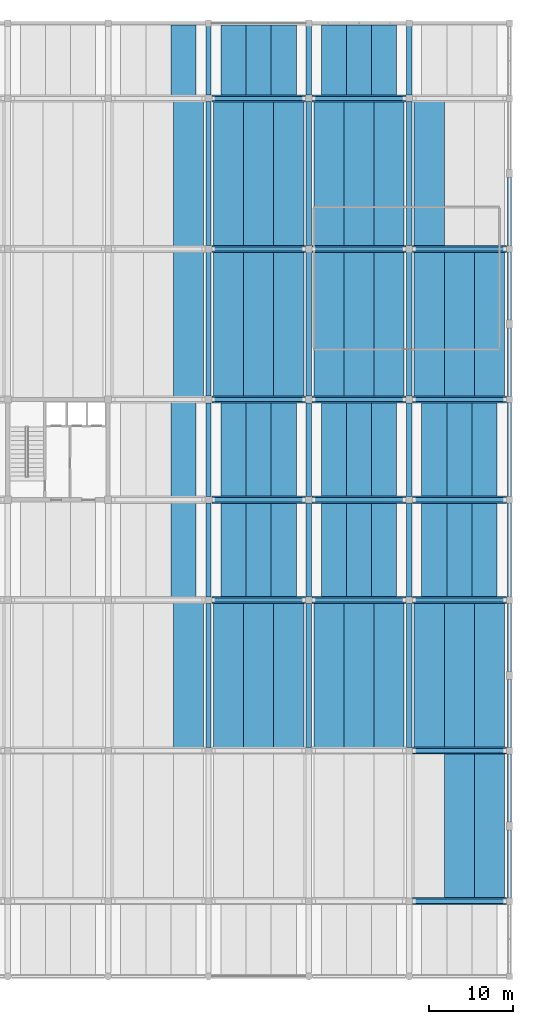
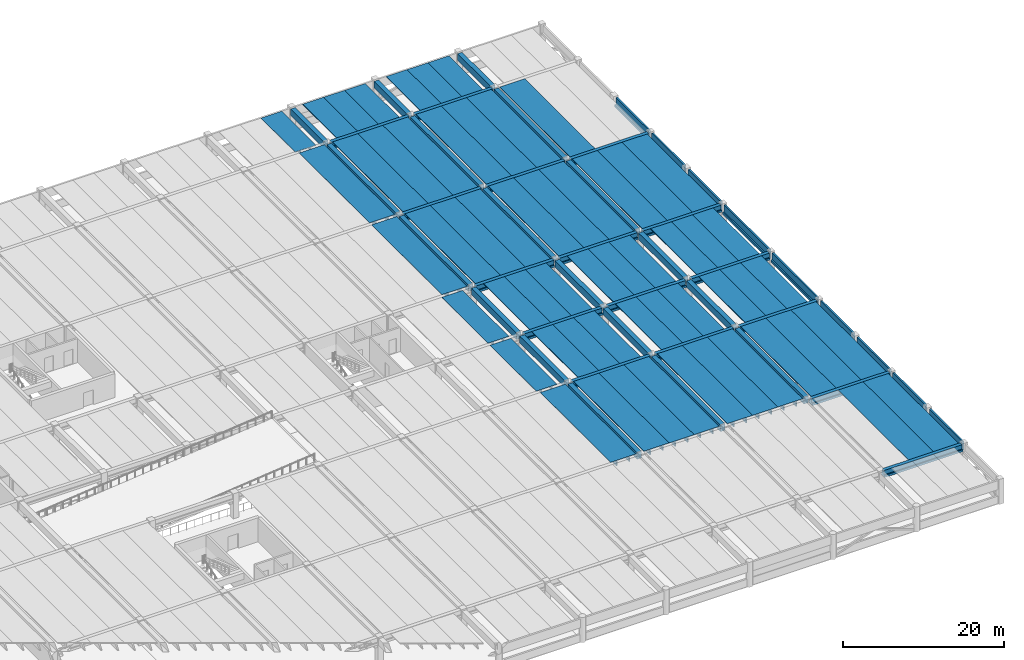
# One storey, part 6 of 21: 100 beams.
"""IFC4 building model written with IfcOpenShell, lengths in metres."""

import ifcopenshell
import ifcopenshell.guid

model = None  # the IFC model being written
_history = None  # IfcOwnerHistory: only IFC2X3 demands one
_inside = {}  # id of a spatial element -> (the spatial element, [elements in it])
_under = {}  # id of a project, library or spatial element -> (it, [spatial elements below it])
_declared = {}  # id of a project -> (the project, [libraries it declares])
_typed = {}  # id of a type object -> (the type object, [elements of that type])
_made_of = {}  # id of a material, layer set ... -> (it, [elements and type objects made of it])


def new_model(schema):
    """Start an empty IFC model of exactly this schema.

    Asked for "IFC4X3", IfcOpenShell would pick the latest addendum, in which some entities
    have other attributes; the version numbers below select the first issue.
    IFC2X3 requires an IfcOwnerHistory on every rooted entity: one is made here for all.
    """
    global model, _history
    if schema == "IFC4X3":
        model = ifcopenshell.file(schema_version=(4, 3, 0, 0))
    else:
        model = ifcopenshell.file(schema=schema)
    _inside.clear()
    _under.clear()
    _declared.clear()
    _typed.clear()
    _made_of.clear()
    _history = None
    if model.schema == "IFC2X3":
        org = make("IfcOrganization", Name="unknown")
        user = make(
            "IfcPersonAndOrganization",
            ThePerson=make("IfcPerson", FamilyName="unknown"),
            TheOrganization=org,
        )
        app = make(
            "IfcApplication",
            ApplicationDeveloper=org,
            Version="unknown",
            ApplicationFullName="unknown",
            ApplicationIdentifier="unknown",
        )
        _history = make(
            "IfcOwnerHistory",
            OwningUser=user,
            OwningApplication=app,
            ChangeAction="ADDED",
            CreationDate=0,
        )
    return model


def make(cls, **values):
    """One entity of the class cls with the attributes given. An attribute that is None is left unset."""
    return model.create_entity(
        cls, **{name: value for name, value in values.items() if value is not None}
    )


def rooted(cls, **values):
    """An entity with a GlobalId (a new one), such as an element, a storey or a relation."""
    return make(cls, GlobalId=ifcopenshell.guid.new(), OwnerHistory=_history, **values)


def si_unit(unit_type, name, prefix=None):
    """IfcSIUnit, for example si_unit("LENGTHUNIT", "METRE", prefix="MILLI")."""
    return make("IfcSIUnit", UnitType=unit_type, Prefix=prefix, Name=name)


def assignment(units):
    """IfcUnitAssignment: the units of a project."""
    return None if units is None else make("IfcUnitAssignment", Units=units)


def point(xyz):
    """IfcCartesianPoint."""
    return None if xyz is None else make("IfcCartesianPoint", Coordinates=xyz)


def direction(xyz):
    """IfcDirection."""
    return None if xyz is None else make("IfcDirection", DirectionRatios=xyz)


def frame(location, z_axis=None, x_axis=None):
    """IfcAxis2Placement3D, a coordinate frame: its origin and axes. An axis left out is left unset."""
    return make(
        "IfcAxis2Placement3D",
        Location=point(location),
        Axis=direction(z_axis),
        RefDirection=direction(x_axis),
    )


def frame_2d(location, x_axis=None):
    """IfcAxis2Placement2D, a coordinate frame in the plane: its origin and x axis."""
    return make(
        "IfcAxis2Placement2D", Location=point(location), RefDirection=direction(x_axis)
    )


def origin():
    """The frame at (0, 0, 0) with its axes left unset."""
    return frame((0.0, 0.0, 0.0))


def origin_2d():
    """The frame at (0, 0) in the plane with its x axis left unset."""
    return frame_2d((0.0, 0.0))


def place(relative_to, where):
    """IfcLocalPlacement: puts the frame where relative to a parent placement (None: the world)."""
    return make(
        "IfcLocalPlacement", PlacementRelTo=relative_to, RelativePlacement=where
    )


def context(
    kind, dimensions, precision=None, world=None, true_north=None, identifier=None
):
    """IfcGeometricRepresentationContext, for example the 3D "Model" context."""
    return make(
        "IfcGeometricRepresentationContext",
        ContextIdentifier=identifier,
        ContextType=kind,
        CoordinateSpaceDimension=dimensions,
        Precision=precision,
        WorldCoordinateSystem=world,
        TrueNorth=true_north,
    )


def subcontext(parent, identifier, kind, view, scale=None):
    """IfcGeometricRepresentationSubContext, for example "Body" below "Model"."""
    return make(
        "IfcGeometricRepresentationSubContext",
        ContextIdentifier=identifier,
        ContextType=kind,
        ParentContext=parent,
        TargetScale=scale,
        TargetView=view,
    )


def project(units=None, contexts=None):
    """IfcProject with its units and contexts."""
    return rooted(
        "IfcProject",
        Name="project",
        RepresentationContexts=contexts,
        UnitsInContext=assignment(units),
    )


def spatial(cls, under=None, at=None, **own):
    """A site, building, storey or space (cls), placed at a placement, below another one or the project."""
    s = rooted(cls, ObjectPlacement=at, **own)
    if under is not None:
        _under.setdefault(under.id(), (under, []))[1].append(s)
    return s


def polyline(points):
    """IfcPolyline through the points."""
    return make("IfcPolyline", Points=[point(p) for p in points])


def profile(cls, at=None, kind="AREA", **sizes):
    """A parametric profile (cls). Its sizes go by their IFC names, for example OverallWidth=200.0."""
    return make(cls, ProfileType=kind, Position=at, **sizes)


def rectangle(**sizes):
    """IfcRectangleProfileDef."""
    return profile("IfcRectangleProfileDef", **sizes)


def outline(outer, holes=None, kind="AREA"):
    """IfcArbitraryClosedProfileDef: a profile drawn as a closed curve; with holes, ...WithVoids."""
    if holes is None:
        return make("IfcArbitraryClosedProfileDef", ProfileType=kind, OuterCurve=outer)
    return make(
        "IfcArbitraryProfileDefWithVoids",
        ProfileType=kind,
        OuterCurve=outer,
        InnerCurves=holes,
    )


def extrude(swept, where, along, depth):
    """IfcExtrudedAreaSolid: the profile swept, set in the frame where, extruded along a direction by depth."""
    return make(
        "IfcExtrudedAreaSolid",
        SweptArea=swept,
        Position=where,
        ExtrudedDirection=direction(along),
        Depth=depth,
    )


def shape(context_of_items, identifier, shape_type, items):
    """IfcShapeRepresentation: the items that make up one representation, for example the "Body"."""
    return make(
        "IfcShapeRepresentation",
        ContextOfItems=context_of_items,
        RepresentationIdentifier=identifier,
        RepresentationType=shape_type,
        Items=items,
    )


def material(Name=None, Category=None):
    """IfcMaterial."""
    return make("IfcMaterial", Name=Name, Category=Category)


def material_profile(
    of_material, cross_section, Name=None, Category=None, Priority=None
):
    """IfcMaterialProfile: a cross section and its material."""
    return make(
        "IfcMaterialProfile",
        Name=Name,
        Material=of_material,
        Profile=cross_section,
        Priority=Priority,
        Category=Category,
    )


def profile_set(profiles, Name=None, composite=None):
    """IfcMaterialProfileSet."""
    return make(
        "IfcMaterialProfileSet",
        Name=Name,
        MaterialProfiles=profiles,
        CompositeProfile=composite,
    )


def made_of(thing, what):
    """Note that an element or type object is made of a material, layer set ...; save() writes the relation."""
    if what is not None:
        _made_of.setdefault(what.id(), (what, []))[1].append(thing)
    return thing


def type_object(cls, material=None, **own):
    """A type object (cls), such as IfcWallType, which elements share."""
    return made_of(rooted(cls, **own), material)


def element(
    cls,
    number,
    at=None,
    inside=None,
    cuts=None,
    type_object=None,
    material=None,
    context=None,
    identifier="Body",
    shape_type=None,
    held_by="IfcProductDefinitionShape",
    body=None,
    shapes=None,
    **own,
):
    """One element of the class cls, such as IfcWall. Its Tag is "e" and its number.

    at: its placement. inside: the storey or other place that contains it. cuts: it is an
    opening in that element (IfcRelVoidsElement). A single representation is given by context,
    identifier, shape_type and body (its items); several are given by shapes. held_by: the class
    of the entity that holds the representations. save() writes the other relations.
    """
    e = rooted(cls, Tag="e%d" % number, ObjectPlacement=at, **own)
    if body is not None:
        shapes = [shape(context, identifier, shape_type, body)]
    if shapes is not None:
        e.Representation = make(held_by, Representations=shapes)
    if inside is not None:
        _inside.setdefault(inside.id(), (inside, []))[1].append(e)
    if cuts is not None:
        rooted(
            "IfcRelVoidsElement", RelatingBuildingElement=cuts, RelatedOpeningElement=e
        )
    if type_object is not None:
        _typed.setdefault(type_object.id(), (type_object, []))[1].append(e)
    return made_of(e, material)


def aggregate(whole, parts):
    """IfcRelAggregates: a whole, such as a stair, and the parts it consists of."""
    return rooted("IfcRelAggregates", RelatingObject=whole, RelatedObjects=parts)


def save(model, path):
    """Write the relations noted so far, then the file.

    IfcRelAggregates (storeys below a building ...), IfcRelContainedInSpatialStructure (elements
    in a storey), IfcRelDefinesByType, IfcRelAssociatesMaterial and IfcRelDeclares: one each for
    every whole, place, type object, material and project.
    """
    for whole, parts in _under.values():
        aggregate(whole, parts)
    for where, things in _inside.values():
        rooted(
            "IfcRelContainedInSpatialStructure",
            RelatedElements=things,
            RelatingStructure=where,
        )
    for kind, things in _typed.values():
        rooted("IfcRelDefinesByType", RelatedObjects=things, RelatingType=kind)
    for what, things in _made_of.values():
        rooted("IfcRelAssociatesMaterial", RelatedObjects=things, RelatingMaterial=what)
    for by, libraries in _declared.values():
        rooted("IfcRelDeclares", RelatingContext=by, RelatedDefinitions=libraries)
    model.write(path)


model = new_model("IFC4")

# Units and contexts
model_context = context("Model", 3, precision=1e-05, world=origin(), true_north=direction((0.0, 1.0)))
body_context = subcontext(model_context, "Body", "Model", "MODEL_VIEW")
ifc_project = project(units=[si_unit("LENGTHUNIT", "METRE"), si_unit("AREAUNIT", "SQUARE_METRE"), si_unit("VOLUMEUNIT", "CUBIC_METRE"), si_unit("PLANEANGLEUNIT", "RADIAN"), si_unit("MASSUNIT", "GRAM", prefix="KILO")], contexts=[model_context])

# Site, building, storey
site_placement = place(None, origin())
site = spatial("IfcSite", under=ifc_project, at=site_placement, CompositionType="ELEMENT")
building_placement = place(site_placement, origin())
building = spatial("IfcBuilding", under=site, at=building_placement, Name="Girod Span Mobility Hub", CompositionType="ELEMENT")
storey_placement = place(building_placement, frame((0.0, 0.0, 17.199951171875)))
storey = spatial("IfcBuildingStorey", under=building, at=storey_placement, Name="L04", CompositionType="ELEMENT", Elevation=17.199951171875)

# Beams
ifc_material_1 = material(Name="Concrete C50/60", Category="concrete")
ifc_material_profile_1 = material_profile(ifc_material_1, outline(polyline([(-1.5, 0.300048828125), (-1.5, 0.2099609375), (-0.8349609375, 0.2099609375), (-0.8125, -0.300048828125), (-0.6875, -0.300048828125), (-0.6650390625, 0.2099609375), (0.6650390625, 0.2099609375), (0.6875, -0.300048828125), (0.8125, -0.300048828125), (0.8349609375, 0.2099609375), (1.5, 0.2099609375), (1.5, 0.300048828125), (-1.5, 0.300048828125)])), Name="DT-3000X600")
ifc_profile_set_1 = profile_set([ifc_material_profile_1], Name="Concrete C50/60")
beam_type_1 = type_object("IfcBeamType", Name="BM-DT-3000X600", PredefinedType="JOIST", material=ifc_profile_set_1)
for number, where, z_axis, x_axis, name in (
    (1, (129.0, 45.2470703125, 3.340087890625), (0.0, 1.0, 0.0), (-1.0, 0.0, 0.0), "Double-Tee Deck 11/D-3 L04"),
    (2, (129.0, 57.2470703125, 3.340087890625), (0.0, 1.0, 0.0), (-1.0, 0.0, 0.0), "Double-Tee Deck 11/E-3 L04"),
):
    element("IfcBeam", number, at=place(storey_placement, frame(where, z_axis=z_axis, x_axis=x_axis)), inside=storey, type_object=beam_type_1, Name=name, PredefinedType="JOIST", context=body_context, shape_type="SweptSolid", body=[
        extrude(outline(polyline([(-1.5, 0.300048828125), (-1.5, 0.2099609375), (-0.8349609375, 0.2099609375), (-0.8125, -0.300048828125), (-0.6875, -0.300048828125), (-0.6650390625, 0.2099609375), (0.6650390625, 0.2099609375), (0.6875, -0.300048828125), (0.8125, -0.300048828125), (0.8349609375, 0.2099609375), (1.5, 0.2099609375), (1.5, 0.300048828125), (-1.5, 0.300048828125)])), origin(), (0.0, 0.0, 1.0), 11.505859375),
    ])
beam_1_placement = place(storey_placement, frame((129.0, 105.2470703125, 3.280029296875), z_axis=(0.0, 1.0, 0.0), x_axis=(-1.0, 0.0, 0.0)))
element("IfcBeam", 3, at=beam_1_placement, inside=storey, type_object=beam_type_1, Name="Double-Tee Deck 11/H-3 L04", PredefinedType="JOIST", context=body_context, shape_type="SweptSolid", body=[
    extrude(outline(polyline([(-1.5, 0.300048828125), (-1.5, 0.2099609375), (-0.8349609375, 0.2099609375), (-0.8125, -0.300048828125), (-0.6875, -0.300048828125), (-0.6650390625, 0.2099609375), (0.6650390625, 0.2099609375), (0.6875, -0.300048828125), (0.8125, -0.300048828125), (0.8349609375, 0.2099609375), (1.5, 0.2099609375), (1.5, 0.300048828125), (-1.5, 0.300048828125)])), origin(), (0.0, 0.0, 1.0), 8.531005859375),
])
for number, where, z_axis, x_axis, name in (
    (4, (135.0, 45.2470703125, 3.340087890625), (0.0, 1.0, 0.0), (-1.0, 0.0, 0.0), "Double-Tee Deck 12/D-1 L04"),
    (5, (138.0, 45.2470703125, 3.340087890625), (0.0, 1.0, 0.0), (-1.0, 0.0, 0.0), "Double-Tee Deck 12/D-2 L04"),
    (6, (141.0, 45.2470703125, 3.340087890625), (0.0, 1.0, 0.0), (-1.0, 0.0, 0.0), "Double-Tee Deck 12/D-3 L04"),
    (7, (135.0, 57.2470703125, 3.340087890625), (0.0, 1.0, 0.0), (-1.0, 0.0, 0.0), "Double-Tee Deck 12/E-1 L04"),
    (8, (138.0, 57.2470703125, 3.340087890625), (0.0, 1.0, 0.0), (-1.0, 0.0, 0.0), "Double-Tee Deck 12/E-2 L04"),
    (9, (141.0, 57.2470703125, 3.340087890625), (0.0, 1.0, 0.0), (-1.0, 0.0, 0.0), "Double-Tee Deck 12/E-3 L04"),
):
    element("IfcBeam", number, at=place(storey_placement, frame(where, z_axis=z_axis, x_axis=x_axis)), inside=storey, type_object=beam_type_1, Name=name, PredefinedType="JOIST", context=body_context, shape_type="SweptSolid", body=[
        extrude(outline(polyline([(-1.5, 0.300048828125), (-1.5, 0.2099609375), (-0.8349609375, 0.2099609375), (-0.8125, -0.300048828125), (-0.6875, -0.300048828125), (-0.6650390625, 0.2099609375), (0.6650390625, 0.2099609375), (0.6875, -0.300048828125), (0.8125, -0.300048828125), (0.8349609375, 0.2099609375), (1.5, 0.2099609375), (1.5, 0.300048828125), (-1.5, 0.300048828125)])), origin(), (0.0, 0.0, 1.0), 11.505859375),
    ])
for number, where, z_axis, x_axis, name in (
    (10, (135.0, 105.2470703125, 3.280029296875), (0.0, 1.0, 0.0), (-1.0, 0.0, 0.0), "Double-Tee Deck 12/H-1 L04"),
    (11, (138.0, 105.2470703125, 3.280029296875), (0.0, 1.0, 0.0), (-1.0, 0.0, 0.0), "Double-Tee Deck 12/H-2 L04"),
    (12, (141.0, 105.2470703125, 3.280029296875), (0.0, 1.0, 0.0), (-1.0, 0.0, 0.0), "Double-Tee Deck 12/H-3 L04"),
):
    element("IfcBeam", number, at=place(storey_placement, frame(where, z_axis=z_axis, x_axis=x_axis)), inside=storey, type_object=beam_type_1, Name=name, PredefinedType="JOIST", context=body_context, shape_type="SweptSolid", body=[
        extrude(outline(polyline([(-1.5, 0.300048828125), (-1.5, 0.2099609375), (-0.8349609375, 0.2099609375), (-0.8125, -0.300048828125), (-0.6875, -0.300048828125), (-0.6650390625, 0.2099609375), (0.6650390625, 0.2099609375), (0.6875, -0.300048828125), (0.8125, -0.300048828125), (0.8349609375, 0.2099609375), (1.5, 0.2099609375), (1.5, 0.300048828125), (-1.5, 0.300048828125)])), origin(), (0.0, 0.0, 1.0), 8.531005859375),
    ])
for number, where, z_axis, x_axis, name in (
    (13, (147.0, 45.2470703125, 3.340087890625), (0.0, 1.0, 0.0), (-1.0, 0.0, 0.0), "Double-Tee Deck 13/D-1 L04"),
    (14, (150.0, 45.2470703125, 3.340087890625), (0.0, 1.0, 0.0), (-1.0, 0.0, 0.0), "Double-Tee Deck 13/D-2 L04"),
    (15, (153.0, 45.2470703125, 3.340087890625), (0.0, 1.0, 0.0), (-1.0, 0.0, 0.0), "Double-Tee Deck 13/D-3 L04"),
    (16, (147.0, 57.2470703125, 3.340087890625), (0.0, 1.0, 0.0), (-1.0, 0.0, 0.0), "Double-Tee Deck 13/E-1 L04"),
    (17, (150.0, 57.2470703125, 3.340087890625), (0.0, 1.0, 0.0), (-1.0, 0.0, 0.0), "Double-Tee Deck 13/E-2 L04"),
    (18, (153.0, 57.2470703125, 3.340087890625), (0.0, 1.0, 0.0), (-1.0, 0.0, 0.0), "Double-Tee Deck 13/E-3 L04"),
):
    element("IfcBeam", number, at=place(storey_placement, frame(where, z_axis=z_axis, x_axis=x_axis)), inside=storey, type_object=beam_type_1, Name=name, PredefinedType="JOIST", context=body_context, shape_type="SweptSolid", body=[
        extrude(outline(polyline([(-1.5, 0.300048828125), (-1.5, 0.2099609375), (-0.8349609375, 0.2099609375), (-0.8125, -0.300048828125), (-0.6875, -0.300048828125), (-0.6650390625, 0.2099609375), (0.6650390625, 0.2099609375), (0.6875, -0.300048828125), (0.8125, -0.300048828125), (0.8349609375, 0.2099609375), (1.5, 0.2099609375), (1.5, 0.300048828125), (-1.5, 0.300048828125)])), origin(), (0.0, 0.0, 1.0), 11.505859375),
    ])
for number, where, z_axis, x_axis, name in (
    (19, (147.0, 105.2470703125, 3.280029296875), (0.0, 1.0, 0.0), (-1.0, 0.0, 0.0), "Double-Tee Deck 13/H-1 L04"),
    (20, (150.0, 105.2470703125, 3.280029296875), (0.0, 1.0, 0.0), (-1.0, 0.0, 0.0), "Double-Tee Deck 13/H-2 L04"),
    (21, (153.0, 105.2470703125, 3.280029296875), (0.0, 1.0, 0.0), (-1.0, 0.0, 0.0), "Double-Tee Deck 13/H-3 L04"),
):
    element("IfcBeam", number, at=place(storey_placement, frame(where, z_axis=z_axis, x_axis=x_axis)), inside=storey, type_object=beam_type_1, Name=name, PredefinedType="JOIST", context=body_context, shape_type="SweptSolid", body=[
        extrude(outline(polyline([(-1.5, 0.300048828125), (-1.5, 0.2099609375), (-0.8349609375, 0.2099609375), (-0.8125, -0.300048828125), (-0.6875, -0.300048828125), (-0.6650390625, 0.2099609375), (0.6650390625, 0.2099609375), (0.6875, -0.300048828125), (0.8125, -0.300048828125), (0.8349609375, 0.2099609375), (1.5, 0.2099609375), (1.5, 0.300048828125), (-1.5, 0.300048828125)])), origin(), (0.0, 0.0, 1.0), 8.531005859375),
    ])
for number, where, z_axis, x_axis, name in (
    (22, (159.0, 45.2470703125, 3.280029296875), (0.0, 1.0, 0.0), (-1.0, 0.0, 0.0), "Double-Tee Deck 14/D-1 L04"),
    (23, (162.0, 45.2470703125, 3.280029296875), (0.0, 1.0, 0.0), (-1.0, 0.0, 0.0), "Double-Tee Deck 14/D-2 L04"),
    (24, (165.0, 45.2470703125, 3.280029296875), (0.0, 1.0, 0.0), (-1.0, 0.0, 0.0), "Double-Tee Deck 14/D-3 L04"),
    (25, (159.0, 57.2470703125, 3.280029296875), (0.0, 1.0, 0.0), (-1.0, 0.0, 0.0), "Double-Tee Deck 14/E-1 L04"),
    (26, (162.0, 57.2470703125, 3.280029296875), (0.0, 1.0, 0.0), (-1.0, 0.0, 0.0), "Double-Tee Deck 14/E-2 L04"),
    (27, (165.0, 57.2470703125, 3.280029296875), (0.0, 1.0, 0.0), (-1.0, 0.0, 0.0), "Double-Tee Deck 14/E-3 L04"),
):
    element("IfcBeam", number, at=place(storey_placement, frame(where, z_axis=z_axis, x_axis=x_axis)), inside=storey, type_object=beam_type_1, Name=name, PredefinedType="JOIST", context=body_context, shape_type="SweptSolid", body=[
        extrude(outline(polyline([(-1.5, 0.300048828125), (-1.5, 0.2099609375), (-0.8349609375, 0.2099609375), (-0.8125, -0.300048828125), (-0.6875, -0.300048828125), (-0.6650390625, 0.2099609375), (0.6650390625, 0.2099609375), (0.6875, -0.300048828125), (0.8125, -0.300048828125), (0.8349609375, 0.2099609375), (1.5, 0.2099609375), (1.5, 0.300048828125), (-1.5, 0.300048828125)])), origin(), (0.0, 0.0, 1.0), 11.505859375),
    ])
ifc_material_2 = material(Name="Concrete C50/60", Category="concrete")
ifc_material_profile_2 = material_profile(ifc_material_2, outline(polyline([(-1.800048828125, 0.425048828125), (-1.800048828125, 0.324951171875), (-1.0, 0.324951171875), (-0.969970703125, -0.425048828125), (-0.830078125, -0.425048828125), (-0.800048828125, 0.324951171875), (0.800048828125, 0.324951171875), (0.830078125, -0.425048828125), (0.969970703125, -0.425048828125), (1.0, 0.324951171875), (1.800048828125, 0.324951171875), (1.800048828125, 0.425048828125), (-1.800048828125, 0.425048828125)])), Name="DT-3600X850")
ifc_profile_set_2 = profile_set([ifc_material_profile_2], Name="Concrete C50/60")
beam_type_2 = type_object("IfcBeamType", Name="BM-DT-3600X850", PredefinedType="JOIST", material=ifc_profile_set_2)
for number, where, z_axis, x_axis, name in (
    (28, (129.60009765625, 27.2470703125, 3.215087890625), (0.0, 1.0, 0.0), (-1.0, 0.0, 0.0), "Double-Tee Deck 11/C-3 L04"),
    (29, (129.60009765625, 69.2470703125, 3.215087890625), (0.0, 1.0, 0.0), (-1.0, 0.0, 0.0), "Double-Tee Deck 11/F-3 L04"),
    (30, (129.60009765625, 87.2470703125, 3.215087890625), (0.0, 1.0, 0.0), (-1.0, 0.0, 0.0), "Double-Tee Deck 11/G-3 L04"),
    (31, (134.39990234375, 27.2470703125, 3.215087890625), (0.0, 1.0, 0.0), (-1.0, 0.0, 0.0), "Double-Tee Deck 12/C-1 L04"),
    (32, (138.0, 27.2470703125, 3.215087890625), (0.0, 1.0, 0.0), (-1.0, 0.0, 0.0), "Double-Tee Deck 12/C-2 L04"),
    (33, (141.60009765625, 27.2470703125, 3.215087890625), (0.0, 1.0, 0.0), (-1.0, 0.0, 0.0), "Double-Tee Deck 12/C-3 L04"),
    (34, (134.39990234375, 69.2470703125, 3.215087890625), (0.0, 1.0, 0.0), (-1.0, 0.0, 0.0), "Double-Tee Deck 12/F-1 L04"),
    (35, (138.0, 69.2470703125, 3.215087890625), (0.0, 1.0, 0.0), (-1.0, 0.0, 0.0), "Double-Tee Deck 12/F-2 L04"),
    (36, (141.60009765625, 69.2470703125, 3.215087890625), (0.0, 1.0, 0.0), (-1.0, 0.0, 0.0), "Double-Tee Deck 12/F-3 L04"),
    (37, (134.39990234375, 87.2470703125, 3.215087890625), (0.0, 1.0, 0.0), (-1.0, 0.0, 0.0), "Double-Tee Deck 12/G-1 L04"),
    (38, (138.0, 87.2470703125, 3.215087890625), (0.0, 1.0, 0.0), (-1.0, 0.0, 0.0), "Double-Tee Deck 12/G-2 L04"),
    (39, (141.60009765625, 87.2470703125, 3.215087890625), (0.0, 1.0, 0.0), (-1.0, 0.0, 0.0), "Double-Tee Deck 12/G-3 L04"),
    (40, (146.39990234375, 27.2470703125, 3.215087890625), (0.0, 1.0, 0.0), (-1.0, 0.0, 0.0), "Double-Tee Deck 13/C-1 L04"),
    (41, (150.0, 27.2470703125, 3.215087890625), (0.0, 1.0, 0.0), (-1.0, 0.0, 0.0), "Double-Tee Deck 13/C-2 L04"),
    (42, (153.60009765625, 27.2470703125, 3.215087890625), (0.0, 1.0, 0.0), (-1.0, 0.0, 0.0), "Double-Tee Deck 13/C-3 L04"),
    (43, (146.39990234375, 69.2470703125, 3.215087890625), (0.0, 1.0, 0.0), (-1.0, 0.0, 0.0), "Double-Tee Deck 13/F-1 L04"),
    (44, (150.0, 69.2470703125, 3.215087890625), (0.0, 1.0, 0.0), (-1.0, 0.0, 0.0), "Double-Tee Deck 13/F-2 L04"),
    (45, (153.60009765625, 69.2470703125, 3.215087890625), (0.0, 1.0, 0.0), (-1.0, 0.0, 0.0), "Double-Tee Deck 13/F-3 L04"),
    (46, (146.39990234375, 87.2470703125, 3.215087890625), (0.0, 1.0, 0.0), (-1.0, 0.0, 0.0), "Double-Tee Deck 13/G-1 L04"),
    (47, (150.0, 87.2470703125, 3.215087890625), (0.0, 1.0, 0.0), (-1.0, 0.0, 0.0), "Double-Tee Deck 13/G-2 L04"),
    (48, (153.60009765625, 87.2470703125, 3.215087890625), (0.0, 1.0, 0.0), (-1.0, 0.0, 0.0), "Double-Tee Deck 13/G-3 L04"),
    (49, (162.0, 9.2470703125, 3.155029296875), (0.0, 1.0, 0.0), (-1.0, 0.0, 0.0), "Double-Tee Deck 14/B-2 L04"),
    (50, (165.60009765625, 9.2470703125, 3.155029296875), (0.0, 1.0, 0.0), (-1.0, 0.0, 0.0), "Double-Tee Deck 14/B-3 L04"),
    (51, (158.39990234375, 27.2470703125, 3.155029296875), (0.0, 1.0, 0.0), (-1.0, 0.0, 0.0), "Double-Tee Deck 14/C-1 L04"),
    (52, (162.0, 27.2470703125, 3.155029296875), (0.0, 1.0, 0.0), (-1.0, 0.0, 0.0), "Double-Tee Deck 14/C-2 L04"),
    (53, (165.60009765625, 27.2470703125, 3.155029296875), (0.0, 1.0, 0.0), (-1.0, 0.0, 0.0), "Double-Tee Deck 14/C-3 L04"),
    (54, (158.39990234375, 69.2470703125, 3.155029296875), (0.0, 1.0, 0.0), (-1.0, 0.0, 0.0), "Double-Tee Deck 14/F-1 L04"),
    (55, (162.0, 69.2470703125, 3.155029296875), (0.0, 1.0, 0.0), (-1.0, 0.0, 0.0), "Double-Tee Deck 14/F-2 L04"),
    (56, (165.60009765625, 69.2470703125, 3.155029296875), (0.0, 1.0, 0.0), (-1.0, 0.0, 0.0), "Double-Tee Deck 14/F-3 L04"),
    (57, (158.39990234375, 87.2470703125, 3.155029296875), (0.0, 1.0, 0.0), (-1.0, 0.0, 0.0), "Double-Tee Deck 14/G-1 L04"),
):
    element("IfcBeam", number, at=place(storey_placement, frame(where, z_axis=z_axis, x_axis=x_axis)), inside=storey, type_object=beam_type_2, Name=name, PredefinedType="JOIST", context=body_context, shape_type="SweptSolid", body=[
        extrude(outline(polyline([(-1.800048828125, 0.425048828125), (-1.800048828125, 0.324951171875), (-1.0, 0.324951171875), (-0.969970703125, -0.425048828125), (-0.830078125, -0.425048828125), (-0.800048828125, 0.324951171875), (0.800048828125, 0.324951171875), (0.830078125, -0.425048828125), (0.969970703125, -0.425048828125), (1.0, 0.324951171875), (1.800048828125, 0.324951171875), (1.800048828125, 0.425048828125), (-1.800048828125, 0.425048828125)])), origin(), (0.0, 0.0, 1.0), 17.505859375),
    ])
ifc_material_3 = material(Name="Concrete C50/60", Category="concrete")
ifc_material_profile_3 = material_profile(ifc_material_3, outline(polyline([(-0.425048828125, -0.47509765625), (0.425048828125, -0.47509765625), (0.425048828125, -0.155029296875), (0.25, -0.155029296875), (0.25, 0.47509765625), (-0.25, 0.47509765625), (-0.25, -0.155029296875), (-0.425048828125, -0.155029296875), (-0.425048828125, -0.47509765625)])), Name="IT-850X950")
ifc_profile_set_3 = profile_set([ifc_material_profile_3], Name="Concrete C50/60")
beam_type_3 = type_object("IfcBeamType", Name="BM-IT-850X950", PredefinedType="T_BEAM", material=ifc_profile_set_3)
for number, where, z_axis, x_axis, name in (
    (58, (156.39697265625, 9.0, 3.10498046875), (1.0, 0.0, 0.0), (0.0, 1.0, 0.0), "Girder 14-15/B L04"),
    (59, (156.39697265625, 27.0, 3.10498046875), (1.0, 0.0, 0.0), (0.0, 1.0, 0.0), "Girder 14-15/C L04"),
):
    element("IfcBeam", number, at=place(storey_placement, frame(where, z_axis=z_axis, x_axis=x_axis)), inside=storey, type_object=beam_type_3, Name=name, PredefinedType="T_BEAM", context=body_context, shape_type="SweptSolid", body=[
        extrude(outline(polyline([(-0.425048828125, -0.47509765625), (0.425048828125, -0.47509765625), (0.425048828125, -0.155029296875), (0.25, -0.155029296875), (0.25, 0.47509765625), (-0.25, 0.47509765625), (-0.25, -0.155029296875), (-0.425048828125, -0.155029296875), (-0.425048828125, -0.47509765625)])), origin(), (0.0, 0.0, 1.0), 11.23095703125),
    ])
for number, where, z_axis, x_axis, name in (
    (60, (132.39697265625, 45.0, 3.1650390625), (1.0, 0.0, 0.0), (0.0, 1.0, 0.0), "Girder 12-13/D L04"),
    (61, (144.39697265625, 45.0, 3.1650390625), (1.0, 0.0, 0.0), (0.0, 1.0, 0.0), "Girder 13-14/D L04"),
):
    element("IfcBeam", number, at=place(storey_placement, frame(where, z_axis=z_axis, x_axis=x_axis)), inside=storey, type_object=beam_type_3, Name=name, PredefinedType="T_BEAM", context=body_context, shape_type="SweptSolid", body=[
        extrude(outline(polyline([(-0.425048828125, -0.47509765625), (0.425048828125, -0.47509765625), (0.425048828125, -0.155029296875), (0.25, -0.155029296875), (0.25, 0.47509765625), (-0.25, 0.47509765625), (-0.25, -0.155029296875), (-0.425048828125, -0.155029296875), (-0.425048828125, -0.47509765625)])), origin(), (0.0, 0.0, 1.0), 11.2060546875),
    ])
beam_2_placement = place(storey_placement, frame((156.39697265625, 45.0, 3.10498046875), z_axis=(1.0, 0.0, 0.0), x_axis=(0.0, 1.0, 0.0)))
element("IfcBeam", 62, at=beam_2_placement, inside=storey, type_object=beam_type_3, Name="Girder 14-15/D L04", PredefinedType="T_BEAM", context=body_context, shape_type="SweptSolid", body=[
    extrude(outline(polyline([(-0.425048828125, -0.47509765625), (0.425048828125, -0.47509765625), (0.425048828125, -0.155029296875), (0.25, -0.155029296875), (0.25, 0.47509765625), (-0.25, 0.47509765625), (-0.25, -0.155029296875), (-0.425048828125, -0.155029296875), (-0.425048828125, -0.47509765625)])), origin(), (0.0, 0.0, 1.0), 11.23095703125),
])
for number, where, z_axis, x_axis, name in (
    (63, (132.39697265625, 57.0, 3.1650390625), (1.0, 0.0, 0.0), (0.0, 1.0, 0.0), "Girder 12-13/E L04"),
    (64, (144.39697265625, 57.0, 3.1650390625), (1.0, 0.0, 0.0), (0.0, 1.0, 0.0), "Girder 13-14/E L04"),
):
    element("IfcBeam", number, at=place(storey_placement, frame(where, z_axis=z_axis, x_axis=x_axis)), inside=storey, type_object=beam_type_3, Name=name, PredefinedType="T_BEAM", context=body_context, shape_type="SweptSolid", body=[
        extrude(outline(polyline([(-0.425048828125, -0.47509765625), (0.425048828125, -0.47509765625), (0.425048828125, -0.155029296875), (0.25, -0.155029296875), (0.25, 0.47509765625), (-0.25, 0.47509765625), (-0.25, -0.155029296875), (-0.425048828125, -0.155029296875), (-0.425048828125, -0.47509765625)])), origin(), (0.0, 0.0, 1.0), 11.2060546875),
    ])
beam_3_placement = place(storey_placement, frame((156.39697265625, 57.0, 3.10498046875), z_axis=(1.0, 0.0, 0.0), x_axis=(0.0, 1.0, 0.0)))
element("IfcBeam", 65, at=beam_3_placement, inside=storey, type_object=beam_type_3, Name="Girder 14-15/E L04", PredefinedType="T_BEAM", context=body_context, shape_type="SweptSolid", body=[
    extrude(outline(polyline([(-0.425048828125, -0.47509765625), (0.425048828125, -0.47509765625), (0.425048828125, -0.155029296875), (0.25, -0.155029296875), (0.25, 0.47509765625), (-0.25, 0.47509765625), (-0.25, -0.155029296875), (-0.425048828125, -0.155029296875), (-0.425048828125, -0.47509765625)])), origin(), (0.0, 0.0, 1.0), 11.23095703125),
])
for number, where, z_axis, x_axis, name in (
    (66, (132.39697265625, 69.0, 3.1650390625), (1.0, 0.0, 0.0), (0.0, 1.0, 0.0), "Girder 12-13/F L04"),
    (67, (144.39697265625, 69.0, 3.1650390625), (1.0, 0.0, 0.0), (0.0, 1.0, 0.0), "Girder 13-14/F L04"),
):
    element("IfcBeam", number, at=place(storey_placement, frame(where, z_axis=z_axis, x_axis=x_axis)), inside=storey, type_object=beam_type_3, Name=name, PredefinedType="T_BEAM", context=body_context, shape_type="SweptSolid", body=[
        extrude(outline(polyline([(-0.425048828125, -0.47509765625), (0.425048828125, -0.47509765625), (0.425048828125, -0.155029296875), (0.25, -0.155029296875), (0.25, 0.47509765625), (-0.25, 0.47509765625), (-0.25, -0.155029296875), (-0.425048828125, -0.155029296875), (-0.425048828125, -0.47509765625)])), origin(), (0.0, 0.0, 1.0), 11.2060546875),
    ])
beam_4_placement = place(storey_placement, frame((156.39697265625, 69.0, 3.10498046875), z_axis=(1.0, 0.0, 0.0), x_axis=(0.0, 1.0, 0.0)))
element("IfcBeam", 68, at=beam_4_placement, inside=storey, type_object=beam_type_3, Name="Girder 14-15/F L04", PredefinedType="T_BEAM", context=body_context, shape_type="SweptSolid", body=[
    extrude(outline(polyline([(-0.425048828125, -0.47509765625), (0.425048828125, -0.47509765625), (0.425048828125, -0.155029296875), (0.25, -0.155029296875), (0.25, 0.47509765625), (-0.25, 0.47509765625), (-0.25, -0.155029296875), (-0.425048828125, -0.155029296875), (-0.425048828125, -0.47509765625)])), origin(), (0.0, 0.0, 1.0), 11.23095703125),
])
for number, where, z_axis, x_axis, name in (
    (69, (132.39697265625, 87.0, 3.1650390625), (1.0, 0.0, 0.0), (0.0, 1.0, 0.0), "Girder 12-13/G L04"),
    (70, (144.39697265625, 87.0, 3.1650390625), (1.0, 0.0, 0.0), (0.0, 1.0, 0.0), "Girder 13-14/G L04"),
):
    element("IfcBeam", number, at=place(storey_placement, frame(where, z_axis=z_axis, x_axis=x_axis)), inside=storey, type_object=beam_type_3, Name=name, PredefinedType="T_BEAM", context=body_context, shape_type="SweptSolid", body=[
        extrude(outline(polyline([(-0.425048828125, -0.47509765625), (0.425048828125, -0.47509765625), (0.425048828125, -0.155029296875), (0.25, -0.155029296875), (0.25, 0.47509765625), (-0.25, 0.47509765625), (-0.25, -0.155029296875), (-0.425048828125, -0.155029296875), (-0.425048828125, -0.47509765625)])), origin(), (0.0, 0.0, 1.0), 11.2060546875),
    ])
beam_5_placement = place(storey_placement, frame((156.39697265625, 87.0, 3.10498046875), z_axis=(1.0, 0.0, 0.0), x_axis=(0.0, 1.0, 0.0)))
element("IfcBeam", 71, at=beam_5_placement, inside=storey, type_object=beam_type_3, Name="Girder 14-15/G L04", PredefinedType="T_BEAM", context=body_context, shape_type="SweptSolid", body=[
    extrude(outline(polyline([(-0.425048828125, -0.47509765625), (0.425048828125, -0.47509765625), (0.425048828125, -0.155029296875), (0.25, -0.155029296875), (0.25, 0.47509765625), (-0.25, 0.47509765625), (-0.25, -0.155029296875), (-0.425048828125, -0.155029296875), (-0.425048828125, -0.47509765625)])), origin(), (0.0, 0.0, 1.0), 11.23095703125),
])
for number, where, z_axis, x_axis, name in (
    (72, (132.39697265625, 105.0, 3.1650390625), (1.0, 0.0, 0.0), (0.0, 1.0, 0.0), "Girder 12-13/H L04"),
    (73, (144.39697265625, 105.0, 3.1650390625), (1.0, 0.0, 0.0), (0.0, 1.0, 0.0), "Girder 13-14/H L04"),
):
    element("IfcBeam", number, at=place(storey_placement, frame(where, z_axis=z_axis, x_axis=x_axis)), inside=storey, type_object=beam_type_3, Name=name, PredefinedType="T_BEAM", context=body_context, shape_type="SweptSolid", body=[
        extrude(outline(polyline([(-0.425048828125, -0.47509765625), (0.425048828125, -0.47509765625), (0.425048828125, -0.155029296875), (0.25, -0.155029296875), (0.25, 0.47509765625), (-0.25, 0.47509765625), (-0.25, -0.155029296875), (-0.425048828125, -0.155029296875), (-0.425048828125, -0.47509765625)])), origin(), (0.0, 0.0, 1.0), 11.2060546875),
    ])
ifc_material_4 = material(Name="Concrete C40/50", Category="concrete")
ifc_material_profile_4 = material_profile(ifc_material_4, outline(polyline([(-0.22509765625, -0.675048828125), (0.22509765625, -0.675048828125), (0.22509765625, -0.324951171875), (0.02490234375, -0.324951171875), (0.02490234375, 0.675048828125), (-0.22509765625, 0.675048828125), (-0.22509765625, -0.675048828125)])), Name="SP-450X1350")
ifc_profile_set_4 = profile_set([ifc_material_profile_4], Name="Concrete C40/50")
beam_type_4 = type_object("IfcBeamType", Name="BM-SP-450X1350", PredefinedType="SPANDREL", material=ifc_profile_set_4)
for number, where, z_axis, x_axis, name in (
    (74, (168.0, 9.3720703125, 2.905029296875), (0.0, 1.0, 0.0), (-1.0, 0.0, 0.0), "Perimeter Spandrel 15/B-S L04"),
    (75, (168.0, 18.471923828125, 2.905029296875), (0.0, 1.0, 0.0), (-1.0, 0.0, 0.0), "Perimeter Spandrel 15/B-N L04"),
    (76, (168.0, 27.3720703125, 2.905029296875), (0.0, 1.0, 0.0), (-1.0, 0.0, 0.0), "Perimeter Spandrel 15/C-S L04"),
    (77, (168.0, 36.471923828125, 2.905029296875), (0.0, 1.0, 0.0), (-1.0, 0.0, 0.0), "Perimeter Spandrel 15/C-N L04"),
):
    element("IfcBeam", number, at=place(storey_placement, frame(where, z_axis=z_axis, x_axis=x_axis)), inside=storey, type_object=beam_type_4, Name=name, PredefinedType="SPANDREL", context=body_context, shape_type="SweptSolid", body=[
        extrude(outline(polyline([(-0.22509765625, -0.675048828125), (0.22509765625, -0.675048828125), (0.22509765625, -0.324951171875), (0.02490234375, -0.324951171875), (0.02490234375, 0.675048828125), (-0.22509765625, 0.675048828125), (-0.22509765625, -0.675048828125)])), origin(), (0.0, 0.0, 1.0), 8.156005859375),
    ])
for number, where, z_axis, x_axis, name in (
    (78, (168.0, 45.3720703125, 2.905029296875), (0.0, 1.0, 0.0), (-1.0, 0.0, 0.0), "Tie Girder 15/D-E L04"),
    (79, (168.0, 57.3720703125, 2.905029296875), (0.0, 1.0, 0.0), (-1.0, 0.0, 0.0), "Tie Girder 15/E-F L04"),
):
    element("IfcBeam", number, at=place(storey_placement, frame(where, z_axis=z_axis, x_axis=x_axis)), inside=storey, type_object=beam_type_4, Name=name, PredefinedType="SPANDREL", context=body_context, shape_type="SweptSolid", body=[
        extrude(outline(polyline([(-0.22509765625, -0.675048828125), (0.22509765625, -0.675048828125), (0.22509765625, -0.324951171875), (0.02490234375, -0.324951171875), (0.02490234375, 0.675048828125), (-0.22509765625, 0.675048828125), (-0.22509765625, -0.675048828125)])), origin(), (0.0, 0.0, 1.0), 11.255859375),
    ])
for number, where, z_axis, x_axis, name in (
    (80, (168.0, 69.3720703125, 2.905029296875), (0.0, 1.0, 0.0), (-1.0, 0.0, 0.0), "Perimeter Spandrel 15/F-S L04"),
    (81, (168.0, 78.471923828125, 2.905029296875), (0.0, 1.0, 0.0), (-1.0, 0.0, 0.0), "Perimeter Spandrel 15/F-N L04"),
    (82, (168.0, 87.3720703125, 2.905029296875), (0.0, 1.0, 0.0), (-1.0, 0.0, 0.0), "Perimeter Spandrel 15/G-S L04"),
):
    element("IfcBeam", number, at=place(storey_placement, frame(where, z_axis=z_axis, x_axis=x_axis)), inside=storey, type_object=beam_type_4, Name=name, PredefinedType="SPANDREL", context=body_context, shape_type="SweptSolid", body=[
        extrude(outline(polyline([(-0.22509765625, -0.675048828125), (0.22509765625, -0.675048828125), (0.22509765625, -0.324951171875), (0.02490234375, -0.324951171875), (0.02490234375, 0.675048828125), (-0.22509765625, 0.675048828125), (-0.22509765625, -0.675048828125)])), origin(), (0.0, 0.0, 1.0), 8.156005859375),
    ])
ifc_material_5 = material(Name="Concrete C40/50", Category="concrete")
ifc_material_profile_5 = material_profile(ifc_material_5, rectangle(XDim=0.64990234375, YDim=1.0, at=origin_2d()), Name="TG-650X1000")
ifc_profile_set_5 = profile_set([ifc_material_profile_5], Name="Concrete C40/50")
beam_type_5 = type_object("IfcBeamType", Name="BM-TG-650X1000", PredefinedType="T_BEAM", material=ifc_profile_set_5)
beam_6_placement = place(storey_placement, frame((132.0, 27.39697265625, 3.14013671875), z_axis=(0.0, 1.0, 0.0), x_axis=(-1.0, 0.0, 0.0)))
element("IfcBeam", 83, at=beam_6_placement, inside=storey, type_object=beam_type_5, Name="Tie Girder 12/C-D L04", PredefinedType="T_BEAM", context=body_context, shape_type="SweptSolid", body=[
    extrude(rectangle(XDim=0.64990234375, YDim=1.0, at=origin_2d()), origin(), (0.0, 0.0, 1.0), 17.2060546875),
])
for number, where, z_axis, x_axis, name in (
    (84, (132.0, 45.39697265625, 3.14013671875), (0.0, 1.0, 0.0), (-1.0, 0.0, 0.0), "Tie Girder 12/D-E L04"),
    (85, (132.0, 57.39697265625, 3.14013671875), (0.0, 1.0, 0.0), (-1.0, 0.0, 0.0), "Tie Girder 12/E-F L04"),
):
    element("IfcBeam", number, at=place(storey_placement, frame(where, z_axis=z_axis, x_axis=x_axis)), inside=storey, type_object=beam_type_5, Name=name, PredefinedType="T_BEAM", context=body_context, shape_type="SweptSolid", body=[
        extrude(rectangle(XDim=0.64990234375, YDim=1.0, at=origin_2d()), origin(), (0.0, 0.0, 1.0), 11.2060546875),
    ])
for number, where, z_axis, x_axis, name in (
    (86, (132.0, 69.39697265625, 3.14013671875), (0.0, 1.0, 0.0), (-1.0, 0.0, 0.0), "Tie Girder 12/F-G L04"),
    (87, (132.0, 87.39697265625, 3.14013671875), (0.0, 1.0, 0.0), (-1.0, 0.0, 0.0), "Tie Girder 12/G-H L04"),
):
    element("IfcBeam", number, at=place(storey_placement, frame(where, z_axis=z_axis, x_axis=x_axis)), inside=storey, type_object=beam_type_5, Name=name, PredefinedType="T_BEAM", context=body_context, shape_type="SweptSolid", body=[
        extrude(rectangle(XDim=0.64990234375, YDim=1.0, at=origin_2d()), origin(), (0.0, 0.0, 1.0), 17.2060546875),
    ])
beam_7_placement = place(storey_placement, frame((132.0, 105.39697265625, 3.080078125), z_axis=(0.0, 1.0, 0.0), x_axis=(-1.0, 0.0, 0.0)))
element("IfcBeam", 88, at=beam_7_placement, inside=storey, type_object=beam_type_5, Name="Tie Girder 12/H-J L04", PredefinedType="T_BEAM", context=body_context, shape_type="SweptSolid", body=[
    extrude(rectangle(XDim=0.64990234375, YDim=1.0, at=origin_2d()), origin(), (0.0, 0.0, 1.0), 8.23095703125),
])
beam_8_placement = place(storey_placement, frame((144.0, 27.39697265625, 3.14013671875), z_axis=(0.0, 1.0, 0.0), x_axis=(-1.0, 0.0, 0.0)))
element("IfcBeam", 89, at=beam_8_placement, inside=storey, type_object=beam_type_5, Name="Tie Girder 13/C-D L04", PredefinedType="T_BEAM", context=body_context, shape_type="SweptSolid", body=[
    extrude(rectangle(XDim=0.64990234375, YDim=1.0, at=origin_2d()), origin(), (0.0, 0.0, 1.0), 17.2060546875),
])
for number, where, z_axis, x_axis, name in (
    (90, (144.0, 45.39697265625, 3.14013671875), (0.0, 1.0, 0.0), (-1.0, 0.0, 0.0), "Tie Girder 13/D-E L04"),
    (91, (144.0, 57.39697265625, 3.14013671875), (0.0, 1.0, 0.0), (-1.0, 0.0, 0.0), "Tie Girder 13/E-F L04"),
):
    element("IfcBeam", number, at=place(storey_placement, frame(where, z_axis=z_axis, x_axis=x_axis)), inside=storey, type_object=beam_type_5, Name=name, PredefinedType="T_BEAM", context=body_context, shape_type="SweptSolid", body=[
        extrude(rectangle(XDim=0.64990234375, YDim=1.0, at=origin_2d()), origin(), (0.0, 0.0, 1.0), 11.2060546875),
    ])
for number, where, z_axis, x_axis, name in (
    (92, (144.0, 69.39697265625, 3.14013671875), (0.0, 1.0, 0.0), (-1.0, 0.0, 0.0), "Tie Girder 13/F-G L04"),
    (93, (144.0, 87.39697265625, 3.14013671875), (0.0, 1.0, 0.0), (-1.0, 0.0, 0.0), "Tie Girder 13/G-H L04"),
):
    element("IfcBeam", number, at=place(storey_placement, frame(where, z_axis=z_axis, x_axis=x_axis)), inside=storey, type_object=beam_type_5, Name=name, PredefinedType="T_BEAM", context=body_context, shape_type="SweptSolid", body=[
        extrude(rectangle(XDim=0.64990234375, YDim=1.0, at=origin_2d()), origin(), (0.0, 0.0, 1.0), 17.2060546875),
    ])
beam_9_placement = place(storey_placement, frame((144.0, 105.39697265625, 3.080078125), z_axis=(0.0, 1.0, 0.0), x_axis=(-1.0, 0.0, 0.0)))
element("IfcBeam", 94, at=beam_9_placement, inside=storey, type_object=beam_type_5, Name="Tie Girder 13/H-J L04", PredefinedType="T_BEAM", context=body_context, shape_type="SweptSolid", body=[
    extrude(rectangle(XDim=0.64990234375, YDim=1.0, at=origin_2d()), origin(), (0.0, 0.0, 1.0), 8.23095703125),
])
beam_10_placement = place(storey_placement, frame((156.0, 27.39697265625, 3.14013671875), z_axis=(0.0, 1.0, 0.0), x_axis=(-1.0, 0.0, 0.0)))
element("IfcBeam", 95, at=beam_10_placement, inside=storey, type_object=beam_type_5, Name="Tie Girder 14/C-D L04", PredefinedType="T_BEAM", context=body_context, shape_type="SweptSolid", body=[
    extrude(rectangle(XDim=0.64990234375, YDim=1.0, at=origin_2d()), origin(), (0.0, 0.0, 1.0), 17.2060546875),
])
for number, where, z_axis, x_axis, name in (
    (96, (156.0, 45.39697265625, 3.14013671875), (0.0, 1.0, 0.0), (-1.0, 0.0, 0.0), "Tie Girder 14/D-E L04"),
    (97, (156.0, 57.39697265625, 3.14013671875), (0.0, 1.0, 0.0), (-1.0, 0.0, 0.0), "Tie Girder 14/E-F L04"),
):
    element("IfcBeam", number, at=place(storey_placement, frame(where, z_axis=z_axis, x_axis=x_axis)), inside=storey, type_object=beam_type_5, Name=name, PredefinedType="T_BEAM", context=body_context, shape_type="SweptSolid", body=[
        extrude(rectangle(XDim=0.64990234375, YDim=1.0, at=origin_2d()), origin(), (0.0, 0.0, 1.0), 11.2060546875),
    ])
for number, where, z_axis, x_axis, name in (
    (98, (156.0, 69.39697265625, 3.14013671875), (0.0, 1.0, 0.0), (-1.0, 0.0, 0.0), "Tie Girder 14/F-G L04"),
    (99, (156.0, 87.39697265625, 3.14013671875), (0.0, 1.0, 0.0), (-1.0, 0.0, 0.0), "Tie Girder 14/G-H L04"),
):
    element("IfcBeam", number, at=place(storey_placement, frame(where, z_axis=z_axis, x_axis=x_axis)), inside=storey, type_object=beam_type_5, Name=name, PredefinedType="T_BEAM", context=body_context, shape_type="SweptSolid", body=[
        extrude(rectangle(XDim=0.64990234375, YDim=1.0, at=origin_2d()), origin(), (0.0, 0.0, 1.0), 17.2060546875),
    ])
beam_11_placement = place(storey_placement, frame((156.0, 105.39697265625, 3.080078125), z_axis=(0.0, 1.0, 0.0), x_axis=(-1.0, 0.0, 0.0)))
element("IfcBeam", 100, at=beam_11_placement, inside=storey, type_object=beam_type_5, Name="Tie Girder 14/H-J L04", PredefinedType="T_BEAM", context=body_context, shape_type="SweptSolid", body=[
    extrude(rectangle(XDim=0.64990234375, YDim=1.0, at=origin_2d()), origin(), (0.0, 0.0, 1.0), 8.23095703125),
])

save(model, "model.ifc")
